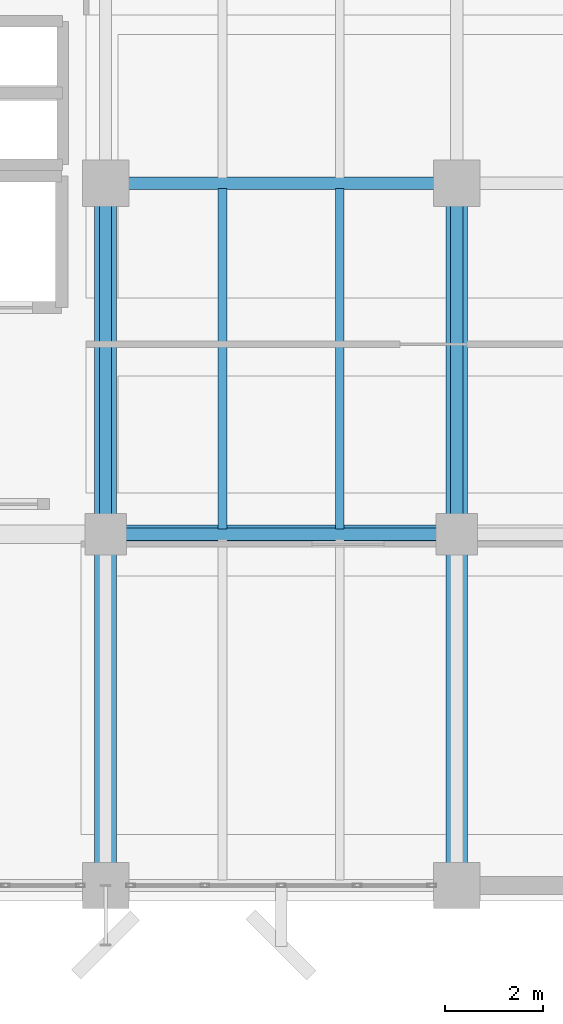
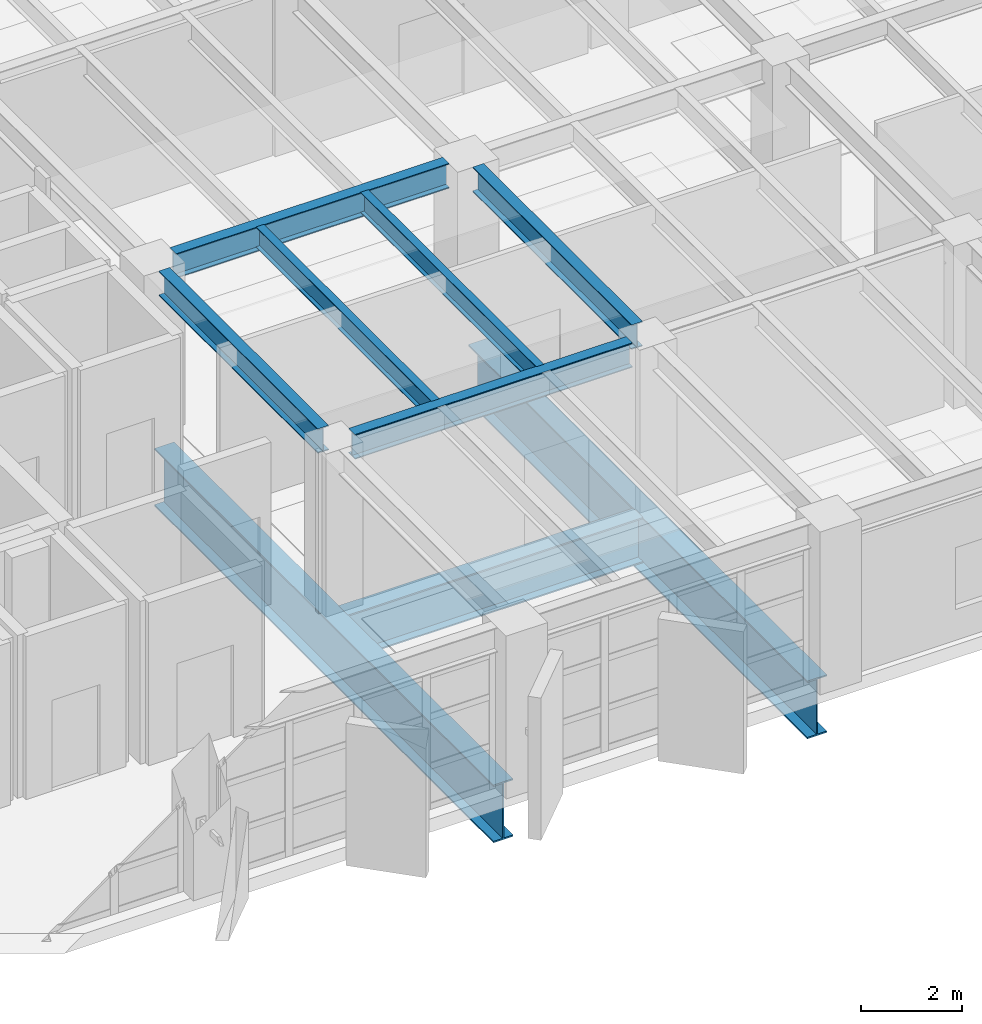
# One storey, part 9 of 59: 9 beams.
"""IFC4 building model written with IfcOpenShell, lengths in metres."""

from ifc_helpers import new_model, si_unit, direction, frame, origin, origin_2d, place, context, subcontext, project, spatial, i_section, extrude, material, material_profile, profile_set, type_object, element, save


model = new_model("IFC4")

# Units and contexts
model_context = context("Model", 3, precision=1e-05, world=origin(), true_north=direction((0.0, 1.0)))
body_context = subcontext(model_context, "Body", "Model", "MODEL_VIEW")
ifc_project = project(units=[si_unit("LENGTHUNIT", "METRE"), si_unit("AREAUNIT", "SQUARE_METRE"), si_unit("VOLUMEUNIT", "CUBIC_METRE"), si_unit("PLANEANGLEUNIT", "RADIAN"), si_unit("MASSUNIT", "GRAM", prefix="KILO")], contexts=[model_context])

# Site, building, storey
site_placement = place(None, origin())
site = spatial("IfcSite", under=ifc_project, at=site_placement, CompositionType="ELEMENT")
building_placement = place(site_placement, origin())
building = spatial("IfcBuilding", under=site, at=building_placement, Name="Kandorven Conservatory and Botanical Research Centre", CompositionType="ELEMENT")
storey_placement = place(building_placement, frame((0.0, 0.0, 4.800048828125)))
storey = spatial("IfcBuildingStorey", under=building, at=storey_placement, Name="L01", CompositionType="ELEMENT", Elevation=4.800048828125)

# Beams
ifc_material_1 = material(Name="Steel S355 (IS 2062 E350)", Category="steel")
ifc_material_profile_1 = material_profile(ifc_material_1, i_section(OverallWidth=0.25, OverallDepth=0.60009765625, WebThickness=0.01171875, FlangeThickness=0.023681640625, at=origin_2d()))
ifc_profile_set_1 = profile_set([ifc_material_profile_1], Name="Steel S355 (IS 2062 E350)")
beam_type_1 = type_object("IfcBeamType", Name="Beam_FG-01", PredefinedType="USERDEFINED", material=ifc_profile_set_1)
beam_1_placement = place(storey_placement, frame((28.014892578125, 13.199951171875, 3.64990234375), z_axis=(1.0, 0.0, 0.0), x_axis=(0.0, 1.0, 0.0)))
element("IfcBeam", 1, at=beam_1_placement, inside=storey, type_object=beam_type_1, Name="Primary girder FG-01 TWR L01", ObjectType="GIRDER", PredefinedType="USERDEFINED", context=body_context, shape_type="SweptSolid", body=[
    extrude(i_section(OverallWidth=0.25, OverallDepth=0.60009765625, WebThickness=0.01171875, FlangeThickness=0.023681640625, at=origin_2d()), origin(), (0.0, 0.0, 1.0), 6.3701171875),
])
beam_2_placement = place(storey_placement, frame((28.06494140625, 20.39990234375, 3.64990234375), z_axis=(1.0, 0.0, 0.0), x_axis=(0.0, 1.0, 0.0)))
element("IfcBeam", 2, at=beam_2_placement, inside=storey, type_object=beam_type_1, Name="Primary girder FG-01 TWR L01", ObjectType="GIRDER", PredefinedType="USERDEFINED", context=body_context, shape_type="SweptSolid", body=[
    extrude(i_section(OverallWidth=0.25, OverallDepth=0.60009765625, WebThickness=0.01171875, FlangeThickness=0.023681640625, at=origin_2d()), origin(), (0.0, 0.0, 1.0), 6.27001953125),
])
for number, where, z_axis, x_axis, name in (
    (3, (27.60009765625, 13.614990234375, 3.64990234375), (0.0, 1.0, 0.0), (-1.0, 0.0, 0.0), "Primary girder FG-01 TWR L01"),
    (4, (34.800048828125, 13.614990234375, 3.64990234375), (0.0, 1.0, 0.0), (-1.0, 0.0, 0.0), "Primary girder FG-01 TWR L01"),
):
    element("IfcBeam", number, at=place(storey_placement, frame(where, z_axis=z_axis, x_axis=x_axis)), inside=storey, type_object=beam_type_1, Name=name, ObjectType="GIRDER", PredefinedType="USERDEFINED", context=body_context, shape_type="SweptSolid", body=[
        extrude(i_section(OverallWidth=0.25, OverallDepth=0.60009765625, WebThickness=0.01171875, FlangeThickness=0.023681640625, at=origin_2d()), origin(), (0.0, 0.0, 1.0), 6.320068359375),
    ])
ifc_material_2 = material(Name="Steel S355 (IS 2062 E350)", Category="steel")
ifc_material_profile_2 = material_profile(ifc_material_2, i_section(OverallWidth=0.3798828125, OverallDepth=1.10009765625, WebThickness=0.02001953125, FlangeThickness=0.031982421875, at=origin_2d()))
ifc_profile_set_2 = profile_set([ifc_material_profile_2], Name="Steel S355 (IS 2062 E350)")
beam_type_2 = type_object("IfcBeamType", Name="Beam_PG-01", PredefinedType="USERDEFINED", material=ifc_profile_set_2)
beam_3_placement = place(storey_placement, frame((27.81494140625, 13.199951171875, -0.8701171875), z_axis=(1.0, 0.0, 0.0), x_axis=(0.0, 1.0, 0.0)))
element("IfcBeam", 5, at=beam_3_placement, inside=storey, type_object=beam_type_2, Name="Transfer tie girder PG-01 bay 2", ObjectType="GIRDER", PredefinedType="USERDEFINED", context=body_context, shape_type="SweptSolid", body=[
    extrude(i_section(OverallWidth=0.3798828125, OverallDepth=1.10009765625, WebThickness=0.02001953125, FlangeThickness=0.031982421875, at=origin_2d()), origin(), (0.0, 0.0, 1.0), 6.77001953125),
])
ifc_material_3 = material(Name="Steel S355 (IS 2062 E350)", Category="steel")
ifc_material_profile_3 = material_profile(ifc_material_3, i_section(OverallWidth=0.179931640625, OverallDepth=0.5, WebThickness=0.01025390625, FlangeThickness=0.01708984375, at=origin_2d()))
ifc_profile_set_3 = profile_set([ifc_material_profile_3], Name="Steel S355 (IS 2062 E350)")
beam_type_3 = type_object("IfcBeamType", Name="Beam_SB-03", PredefinedType="BEAM", material=ifc_profile_set_3)
for number, where, z_axis, x_axis, name in (
    (6, (30.0, 13.31005859375, 3.699951171875), (0.0, 1.0, 0.0), (-1.0, 0.0, 0.0), "Composite secondary beam SB-03 TWR L01"),
    (7, (32.39990234375, 13.31005859375, 3.699951171875), (0.0, 1.0, 0.0), (-1.0, 0.0, 0.0), "Composite secondary beam SB-03 TWR L01"),
):
    element("IfcBeam", number, at=place(storey_placement, frame(where, z_axis=z_axis, x_axis=x_axis)), inside=storey, type_object=beam_type_3, Name=name, PredefinedType="BEAM", context=body_context, shape_type="SweptSolid", body=[
        extrude(i_section(OverallWidth=0.179931640625, OverallDepth=0.5, WebThickness=0.01025390625, FlangeThickness=0.01708984375, at=origin_2d()), origin(), (0.0, 0.0, 1.0), 6.97998046875),
    ])
ifc_material_4 = material(Name="Steel S355 (IS 2062 E350)", Category="steel")
ifc_material_profile_4 = material_profile(ifc_material_4, i_section(OverallWidth=0.449951171875, OverallDepth=1.39990234375, WebThickness=0.02392578125, FlangeThickness=0.035888671875, at=origin_2d()))
ifc_profile_set_4 = profile_set([ifc_material_profile_4], Name="Steel S355 (IS 2062 E350)")
beam_type_4 = type_object("IfcBeamType", Name="Beam_TG-01", PredefinedType="USERDEFINED", material=ifc_profile_set_4)
for number, where, z_axis, x_axis, name in (
    (8, (27.60009765625, 6.465087890625, -1.02001953125), (0.0, 1.0, 0.0), (-1.0, 0.0, 0.0), "Transfer girder TG-01 carrying upper tower column stack"),
    (9, (34.800048828125, 6.465087890625, -1.02001953125), (0.0, 1.0, 0.0), (-1.0, 0.0, 0.0), "Transfer girder TG-02 carrying upper tower column stack"),
):
    element("IfcBeam", number, at=place(storey_placement, frame(where, z_axis=z_axis, x_axis=x_axis)), inside=storey, type_object=beam_type_4, Name=name, ObjectType="GIRDER", PredefinedType="USERDEFINED", context=body_context, shape_type="SweptSolid", body=[
        extrude(i_section(OverallWidth=0.449951171875, OverallDepth=1.39990234375, WebThickness=0.02392578125, FlangeThickness=0.035888671875, at=origin_2d()), origin(), (0.0, 0.0, 1.0), 13.469970703125),
    ])

save(model, "model.ifc")
